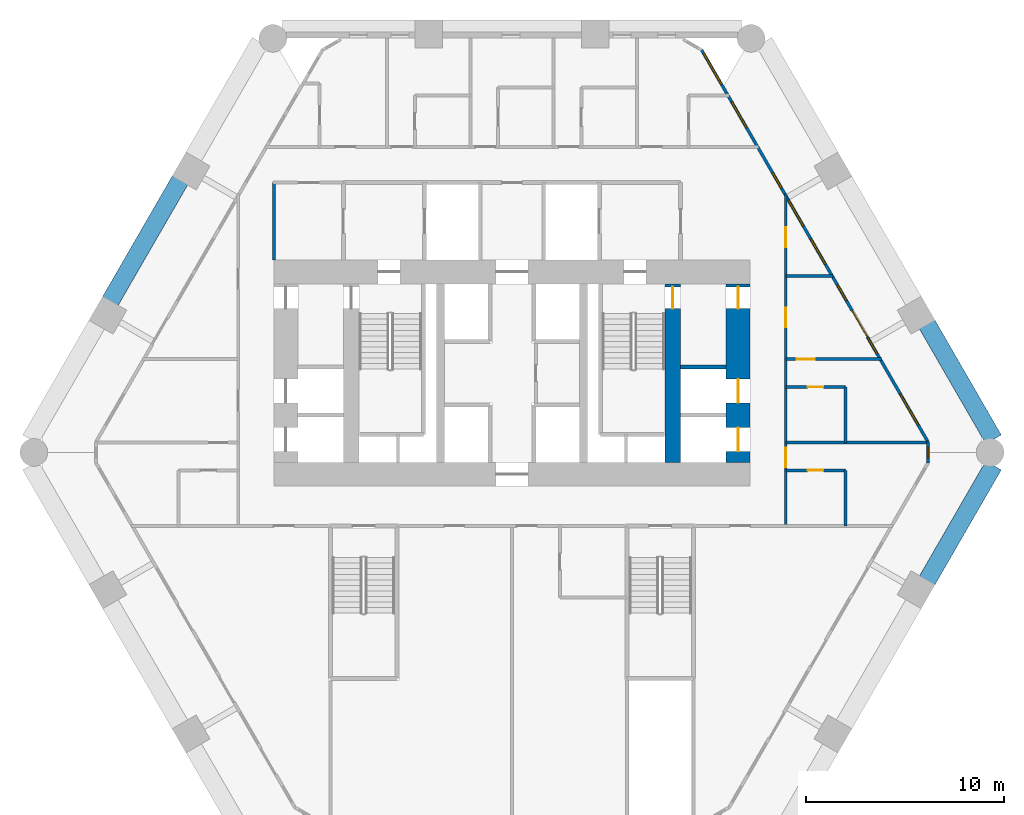
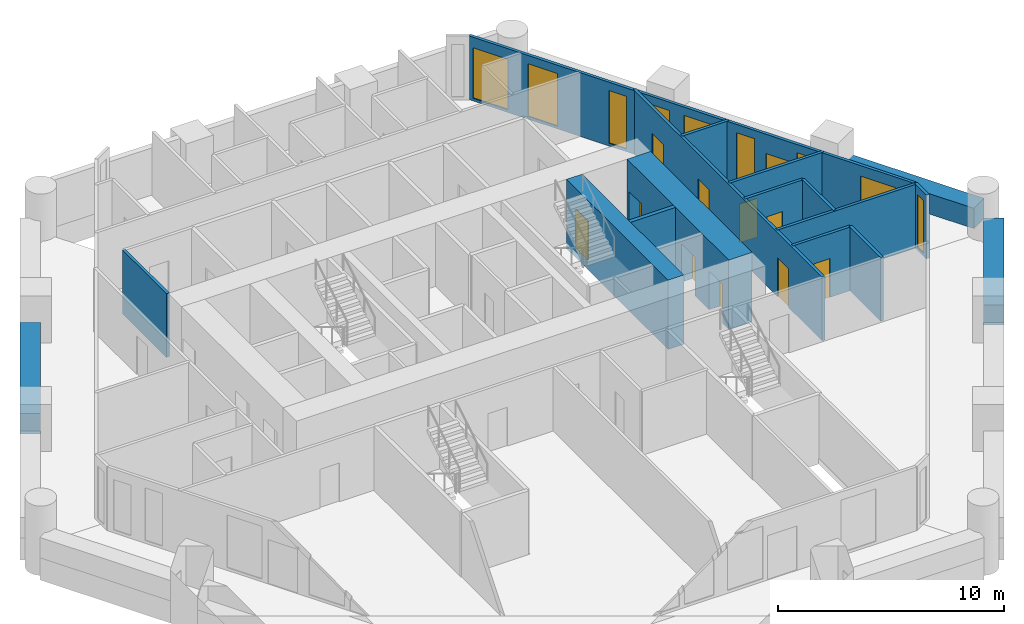
# One storey, part 5 of 8: 17 walls, 11 doors, 9 windows, 20 openings.
"""IFC4 building model written with IfcOpenShell, lengths in metres."""

from ifc_helpers import new_model, si_unit, direction, frame, frame_2d, origin, place, context, subcontext, project, spatial, rectangle, extrude, material, layer, layer_set, type_object, element, fill, save


model = new_model("IFC4")

# Units and contexts
model_context = context("Model", 3, precision=1e-05, world=origin(), true_north=direction((0.0, 1.0)))
body_context = subcontext(model_context, "Body", "Model", "MODEL_VIEW")
ifc_project = project(units=[si_unit("LENGTHUNIT", "METRE"), si_unit("AREAUNIT", "SQUARE_METRE"), si_unit("VOLUMEUNIT", "CUBIC_METRE"), si_unit("PLANEANGLEUNIT", "RADIAN"), si_unit("MASSUNIT", "GRAM", prefix="KILO")], contexts=[model_context])

# Site, building, storey
site_placement = place(None, origin())
site = spatial("IfcSite", under=ifc_project, at=site_placement, CompositionType="ELEMENT")
building_placement = place(site_placement, origin())
building = spatial("IfcBuilding", under=site, at=building_placement, Name="Ostrander Bayou Hotel Tower", CompositionType="ELEMENT")
storey_placement = place(building_placement, frame((0.0, 0.0, 28.0)))
storey = spatial("IfcBuildingStorey", under=building, at=storey_placement, Name="L06", CompositionType="ELEMENT", Elevation=28.0)

# Wall, openings, doors
ifc_material_1 = material(Name="Concrete f'c 70 MPa", Category="concrete")
ifc_layer_1 = layer(ifc_material_1, 1.199951171875)
ifc_layer_set_1 = layer_set([ifc_layer_1], Name="CW1 core wall 1200 mm f'c 70 MPa")
wall_type_1 = type_object("IfcWallType", Name="CW1 core wall 1200 mm f'c 70 MPa", PredefinedType="SHEAR", material=ifc_layer_set_1)
wall_1_placement = place(storey_placement, frame((11.39990234375, -0.5, -0.300048828125), z_axis=(0.0, 0.0, 1.0), x_axis=(0.0, 1.0, 0.0)))
wall_1 = element("IfcWall", 1, at=wall_1_placement, inside=storey, type_object=wall_type_1, Name="CW1 L06 RE", PredefinedType="SHEAR", context=body_context, shape_type="SweptSolid", body=[
    extrude(rectangle(XDim=9.0, YDim=1.199951171875, at=frame_2d((4.5, 0.0))), origin(), (0.0, 0.0, 1.0), 3.75),
])
opening_1_placement = place(wall_1_placement, frame((7.75, 0.0, 0.0)))
opening_1 = element("IfcOpeningElement", 2, at=opening_1_placement, cuts=wall_1, Name="Opening T06-018", PredefinedType="OPENING", context=body_context, shape_type="SweptSolid", body=[
    extrude(rectangle(XDim=1.10009765625, YDim=2.10009765625, at=frame_2d((0.550048828125, 1.050048828125))), frame((0.0, 0.60009765625, 0.0), z_axis=(0.0, -1.0, 0.0), x_axis=(1.0, 0.0, 0.0)), (0.0, 0.0, 1.0), 1.199951171875),
])
opening_2_placement = place(wall_1_placement, frame((0.550048828125, 0.0, 0.0)))
opening_2 = element("IfcOpeningElement", 3, at=opening_2_placement, cuts=wall_1, Name="Opening T06-019", PredefinedType="OPENING", context=body_context, shape_type="SweptSolid", body=[
    extrude(rectangle(XDim=1.199951171875, YDim=2.10009765625, at=frame_2d((0.60009765625, 1.050048828125))), frame((0.0, 0.60009765625, 0.0), z_axis=(0.0, -1.0, 0.0), x_axis=(1.0, 0.0, 0.0)), (0.0, 0.0, 1.0), 1.199951171875),
])
opening_3_placement = place(wall_1_placement, frame((3.0, 0.0, 0.0)))
opening_3 = element("IfcOpeningElement", 4, at=opening_3_placement, cuts=wall_1, Name="Opening T06-020", PredefinedType="OPENING", context=body_context, shape_type="SweptSolid", body=[
    extrude(rectangle(XDim=1.199951171875, YDim=2.10009765625, at=frame_2d((0.60009765625, 1.050048828125))), frame((0.0, 0.60009765625, 0.0), z_axis=(0.0, -1.0, 0.0), x_axis=(1.0, 0.0, 0.0)), (0.0, 0.0, 1.0), 1.199951171875),
])
ifc_material_2 = material(Name="Timber door leaf", Category="wood")
door_type_1 = type_object("IfcDoorType", Name="D5 stair door 1100 x 2100 mm, 90 minute", OperationType="SINGLE_SWING_LEFT", PredefinedType="DOOR", material=ifc_material_2)
door_1_placement = place(opening_1_placement, origin())
door_1 = element("IfcDoor", 5, at=door_1_placement, inside=storey, type_object=door_type_1, Name="dr:L06:018", OperationType="SINGLE_SWING_RIGHT", OverallHeight=2.10009765625, OverallWidth=1.10009765625, PredefinedType="DOOR", context=body_context, shape_type="SweptSolid", body=[
    extrude(rectangle(XDim=1.10009765625, YDim=2.10009765625, at=frame_2d((0.550048828125, 1.050048828125))), frame((0.0, 0.02490234375, 0.0), z_axis=(0.0, -1.0, 0.0), x_axis=(1.0, 0.0, 0.0)), (0.0, 0.0, 1.0), 0.050048828125),
])
fill(opening_1, door_1)
ifc_material_3 = material(Name="Stainless steel sliding door", Category="steel")
door_type_2 = type_object("IfcDoorType", Name="LD1 lift landing door 1200 x 2100 mm", OperationType="SINGLE_SWING_LEFT", PredefinedType="DOOR", material=ifc_material_3)
door_2_placement = place(opening_2_placement, origin())
door_2 = element("IfcDoor", 6, at=door_2_placement, inside=storey, type_object=door_type_2, Name="dr:L06:019", OperationType="SLIDING_TO_LEFT", OverallHeight=2.10009765625, OverallWidth=1.199951171875, PredefinedType="DOOR", context=body_context, shape_type="SweptSolid", body=[
    extrude(rectangle(XDim=1.199951171875, YDim=2.10009765625, at=frame_2d((0.60009765625, 1.050048828125))), frame((0.0, 0.02490234375, 0.0), z_axis=(0.0, -1.0, 0.0), x_axis=(1.0, 0.0, 0.0)), (0.0, 0.0, 1.0), 0.050048828125),
])
fill(opening_2, door_2)
door_3_placement = place(opening_3_placement, origin())
door_3 = element("IfcDoor", 7, at=door_3_placement, inside=storey, type_object=door_type_2, Name="dr:L06:020", OperationType="SLIDING_TO_LEFT", OverallHeight=2.10009765625, OverallWidth=1.199951171875, PredefinedType="DOOR", context=body_context, shape_type="SweptSolid", body=[
    extrude(rectangle(XDim=1.199951171875, YDim=2.10009765625, at=frame_2d((0.60009765625, 1.050048828125))), frame((0.0, 0.02490234375, 0.0), z_axis=(0.0, -1.0, 0.0), x_axis=(1.0, 0.0, 0.0)), (0.0, 0.0, 1.0), 0.050048828125),
])
fill(opening_3, door_3)

# Wall, opening, door
ifc_material_4 = material(Name="Concrete f'c 70 MPa", Category="concrete")
ifc_layer_2 = layer(ifc_material_4, 0.800048828125)
ifc_layer_set_2 = layer_set([ifc_layer_2], Name="CW2 core spine wall 800 mm f'c 70 MPa")
wall_type_2 = type_object("IfcWallType", Name="CW2 core spine wall 800 mm f'c 70 MPa", PredefinedType="SHEAR", material=ifc_layer_set_2)
wall_2_placement = place(storey_placement, frame((8.10009765625, -0.5, -0.300048828125), z_axis=(0.0, 0.0, 1.0), x_axis=(0.0, 1.0, 0.0)))
wall_2 = element("IfcWall", 8, at=wall_2_placement, inside=storey, type_object=wall_type_2, Name="CW2 L06 E", PredefinedType="SHEAR", context=body_context, shape_type="SweptSolid", body=[
    extrude(rectangle(XDim=9.0, YDim=0.800048828125, at=frame_2d((4.5, 0.0))), origin(), (0.0, 0.0, 1.0), 3.75),
])
opening_4_placement = place(wall_2_placement, frame((7.75, 0.0, 0.0)))
opening_4 = element("IfcOpeningElement", 9, at=opening_4_placement, cuts=wall_2, Name="Opening T06-006", PredefinedType="OPENING", context=body_context, shape_type="SweptSolid", body=[
    extrude(rectangle(XDim=1.10009765625, YDim=2.10009765625, at=frame_2d((0.550048828125, 1.050048828125))), frame((0.0, 0.39990234375, 0.0), z_axis=(0.0, -1.0, 0.0), x_axis=(1.0, 0.0, 0.0)), (0.0, 0.0, 1.0), 0.800048828125),
])
door_4_placement = place(opening_4_placement, origin())
door_4 = element("IfcDoor", 10, at=door_4_placement, inside=storey, type_object=door_type_1, Name="dr:L06:006", OperationType="SINGLE_SWING_LEFT", OverallHeight=2.10009765625, OverallWidth=1.10009765625, PredefinedType="DOOR", context=body_context, shape_type="SweptSolid", body=[
    extrude(rectangle(XDim=1.10009765625, YDim=2.10009765625, at=frame_2d((0.550048828125, 1.050048828125))), frame((0.0, 0.02490234375, 0.0), z_axis=(0.0, -1.0, 0.0), x_axis=(1.0, 0.0, 0.0)), (0.0, 0.0, 1.0), 0.050048828125),
])
fill(opening_4, door_4)

# Wall, openings, door, windows
ifc_material_5 = material(Name="Aluminium framed insulated wall", Category="aluminium")
ifc_layer_3 = layer(ifc_material_5, 0.14990234375)
ifc_layer_set_3 = layer_set([ifc_layer_3], Name="GW1 glass-line wall 150 mm")
wall_type_3 = type_object("IfcWallType", Name="GW1 glass-line wall 150 mm", PredefinedType="SOLIDWALL", material=ifc_layer_set_3)
wall_3_placement = place(storey_placement, frame((20.968017578125, 0.532470703125, 0.0), z_axis=(0.0, 0.0, 1.0), x_axis=(-0.500000010132, 0.866025397935, 0.0)))
wall_3 = element("IfcWall", 11, at=wall_3_placement, inside=storey, type_object=wall_type_3, Name="GW1 L06 NE 1", PredefinedType="SOLIDWALL", context=body_context, shape_type="SweptSolid", body=[
    extrude(rectangle(XDim=22.81689453125, YDim=0.14990234375, at=frame_2d((11.408447265625, 0.0))), origin(), (0.0, 0.0, 1.0), 3.449951171875),
])
opening_5_placement = place(wall_3_placement, frame((5.135986328125, 0.0, 0.14990234375)))
opening_5 = element("IfcOpeningElement", 12, at=opening_5_placement, cuts=wall_3, Name="Opening W15", PredefinedType="OPENING", context=body_context, shape_type="SweptSolid", body=[
    extrude(rectangle(XDim=0.89990234375, YDim=2.85009765625, at=frame_2d((0.449951171875, 1.425048828125))), frame((0.0, 0.074951171875, 0.0), z_axis=(0.0, -1.0, 0.0), x_axis=(1.0, 0.0, 0.0)), (0.0, 0.0, 1.0), 0.14990234375),
])
opening_6_placement = place(wall_3_placement, frame((6.122802734375, 0.0, 0.0)))
opening_6 = element("IfcOpeningElement", 13, at=opening_6_placement, cuts=wall_3, Name="Opening T06-808", PredefinedType="OPENING", context=body_context, shape_type="SweptSolid", body=[
    extrude(rectangle(XDim=1.5, YDim=2.39990234375, at=frame_2d((0.75, 1.199951171875))), frame((0.0, 0.074951171875, 0.0), z_axis=(0.0, -1.0, 0.0), x_axis=(1.0, 0.0, 0.0)), (0.0, 0.0, 1.0), 0.14990234375),
])
opening_7_placement = place(wall_3_placement, frame((8.222900390625, 0.0, 0.14990234375)))
opening_7 = element("IfcOpeningElement", 14, at=opening_7_placement, cuts=wall_3, Name="Opening W15", PredefinedType="OPENING", context=body_context, shape_type="SweptSolid", body=[
    extrude(rectangle(XDim=0.89990234375, YDim=2.85009765625, at=frame_2d((0.449951171875, 1.425048828125))), frame((0.0, 0.074951171875, 0.0), z_axis=(0.0, -1.0, 0.0), x_axis=(1.0, 0.0, 0.0)), (0.0, 0.0, 1.0), 0.14990234375),
])
opening_8_placement = place(wall_3_placement, frame((10.32275390625, 0.0, 0.14990234375)))
opening_8 = element("IfcOpeningElement", 15, at=opening_8_placement, cuts=wall_3, Name="Opening W11", PredefinedType="OPENING", context=body_context, shape_type="SweptSolid", body=[
    extrude(rectangle(XDim=1.5, YDim=2.85009765625, at=frame_2d((0.75, 1.425048828125))), frame((0.0, 0.074951171875, 0.0), z_axis=(0.0, -1.0, 0.0), x_axis=(1.0, 0.0, 0.0)), (0.0, 0.0, 1.0), 0.14990234375),
])
opening_9_placement = place(wall_3_placement, frame((14.763916015625, 0.0, 0.14990234375)))
opening_9 = element("IfcOpeningElement", 16, at=opening_9_placement, cuts=wall_3, Name="Opening W15", PredefinedType="OPENING", context=body_context, shape_type="SweptSolid", body=[
    extrude(rectangle(XDim=0.89990234375, YDim=2.85009765625, at=frame_2d((0.449951171875, 1.425048828125))), frame((0.0, 0.074951171875, 0.0), z_axis=(0.0, -1.0, 0.0), x_axis=(1.0, 0.0, 0.0)), (0.0, 0.0, 1.0), 0.14990234375),
])
opening_10_placement = place(wall_3_placement, frame((12.56396484375, 0.0, 0.14990234375)))
opening_10 = element("IfcOpeningElement", 17, at=opening_10_placement, cuts=wall_3, Name="Opening W11", PredefinedType="OPENING", context=body_context, shape_type="SweptSolid", body=[
    extrude(rectangle(XDim=1.5, YDim=2.85009765625, at=frame_2d((0.75, 1.425048828125))), frame((0.0, 0.074951171875, 0.0), z_axis=(0.0, -1.0, 0.0), x_axis=(1.0, 0.0, 0.0)), (0.0, 0.0, 1.0), 0.14990234375),
])
opening_11_placement = place(wall_3_placement, frame((18.293701171875, 0.0, 0.14990234375)))
opening_11 = element("IfcOpeningElement", 18, at=opening_11_placement, cuts=wall_3, Name="Opening W11", PredefinedType="OPENING", context=body_context, shape_type="SweptSolid", body=[
    extrude(rectangle(XDim=1.5, YDim=2.85009765625, at=frame_2d((0.75, 1.425048828125))), frame((0.0, 0.074951171875, 0.0), z_axis=(0.0, -1.0, 0.0), x_axis=(1.0, 0.0, 0.0)), (0.0, 0.0, 1.0), 0.14990234375),
])
opening_12_placement = place(wall_3_placement, frame((0.992919921875, 0.0, 0.14990234375)))
opening_12 = element("IfcOpeningElement", 19, at=opening_12_placement, cuts=wall_3, Name="Opening W1", PredefinedType="OPENING", context=body_context, shape_type="SweptSolid", body=[
    extrude(rectangle(XDim=1.800048828125, YDim=2.72998046875, at=frame_2d((0.89990234375, 1.364990234375))), frame((0.0, 0.074951171875, 0.0), z_axis=(0.0, -1.0, 0.0), x_axis=(1.0, 0.0, 0.0)), (0.0, 0.0, 1.0), 0.14990234375),
])
opening_13_placement = place(wall_3_placement, frame((20.81982421875, 0.0, 0.14990234375)))
opening_13 = element("IfcOpeningElement", 20, at=opening_13_placement, cuts=wall_3, Name="Opening W1", PredefinedType="OPENING", context=body_context, shape_type="SweptSolid", body=[
    extrude(rectangle(XDim=1.800048828125, YDim=2.72998046875, at=frame_2d((0.89990234375, 1.364990234375))), frame((0.0, 0.074951171875, 0.0), z_axis=(0.0, -1.0, 0.0), x_axis=(1.0, 0.0, 0.0)), (0.0, 0.0, 1.0), 0.14990234375),
])
ifc_material_6 = material(Name="Aluminium and clear glass", Category="aluminium")
door_type_3 = type_object("IfcDoorType", Name="SD1 sliding glass door 1500 mm, zone 1", OperationType="SLIDING_TO_LEFT", PredefinedType="DOOR", material=ifc_material_6)
door_5_placement = place(opening_6_placement, origin())
door_5 = element("IfcDoor", 21, at=door_5_placement, inside=storey, type_object=door_type_3, Name="SD1 L06 NE 2", OperationType="SLIDING_TO_RIGHT", OverallHeight=2.39990234375, OverallWidth=1.5, PredefinedType="DOOR", context=body_context, shape_type="SweptSolid", body=[
    extrude(rectangle(XDim=1.5, YDim=2.39990234375, at=frame_2d((0.75, 1.199951171875))), frame((0.0, 0.02490234375, 0.0), z_axis=(0.0, -1.0, 0.0), x_axis=(1.0, 0.0, 0.0)), (0.0, 0.0, 1.0), 0.050048828125),
])
fill(opening_6, door_5)
ifc_material_7 = material(Name="Aluminium and clear glass", Category="aluminium")
window_type_1 = type_object("IfcWindowType", Name="W1 fixed window 1800 mm, zone 1", PartitioningType="SINGLE_PANEL", PredefinedType="WINDOW", material=ifc_material_7)
window_1_placement = place(opening_12_placement, origin())
window_1 = element("IfcWindow", 22, at=window_1_placement, inside=storey, type_object=window_type_1, Name="W1 L06 NE E11", OverallHeight=2.72998046875, OverallWidth=1.800048828125, PartitioningType="SINGLE_PANEL", PredefinedType="WINDOW", context=body_context, shape_type="SweptSolid", body=[
    extrude(rectangle(XDim=1.800048828125, YDim=2.72998046875, at=frame_2d((0.89990234375, 1.364990234375))), frame((0.0, 0.030029296875, 0.0), z_axis=(0.0, -1.0, 0.0), x_axis=(1.0, 0.0, 0.0)), (0.0, 0.0, 1.0), 0.06005859375),
])
fill(opening_12, window_1)
window_2_placement = place(opening_13_placement, origin())
window_2 = element("IfcWindow", 23, at=window_2_placement, inside=storey, type_object=window_type_1, Name="W1 L06 NE E21", OverallHeight=2.72998046875, OverallWidth=1.800048828125, PartitioningType="SINGLE_PANEL", PredefinedType="WINDOW", context=body_context, shape_type="SweptSolid", body=[
    extrude(rectangle(XDim=1.800048828125, YDim=2.72998046875, at=frame_2d((0.89990234375, 1.364990234375))), frame((0.0, 0.030029296875, 0.0), z_axis=(0.0, -1.0, 0.0), x_axis=(1.0, 0.0, 0.0)), (0.0, 0.0, 1.0), 0.06005859375),
])
fill(opening_13, window_2)
ifc_material_8 = material(Name="Aluminium and clear glass", Category="aluminium")
window_type_2 = type_object("IfcWindowType", Name="W11 fixed window 1500 mm, bath bay, zone 1", PartitioningType="SINGLE_PANEL", PredefinedType="WINDOW", material=ifc_material_8)
window_3_placement = place(opening_8_placement, origin())
window_3 = element("IfcWindow", 24, at=window_3_placement, inside=storey, type_object=window_type_2, Name="W11 L06 NE 3", OverallHeight=2.85009765625, OverallWidth=1.5, PartitioningType="SINGLE_PANEL", PredefinedType="WINDOW", context=body_context, shape_type="SweptSolid", body=[
    extrude(rectangle(XDim=1.5, YDim=2.85009765625, at=frame_2d((0.75, 1.425048828125))), frame((0.0, 0.030029296875, 0.0), z_axis=(0.0, -1.0, 0.0), x_axis=(1.0, 0.0, 0.0)), (0.0, 0.0, 1.0), 0.06005859375),
])
fill(opening_8, window_3)
window_4_placement = place(opening_10_placement, origin())
window_4 = element("IfcWindow", 25, at=window_4_placement, inside=storey, type_object=window_type_2, Name="W11 L06 NE 4", OverallHeight=2.85009765625, OverallWidth=1.5, PartitioningType="SINGLE_PANEL", PredefinedType="WINDOW", context=body_context, shape_type="SweptSolid", body=[
    extrude(rectangle(XDim=1.5, YDim=2.85009765625, at=frame_2d((0.75, 1.425048828125))), frame((0.0, 0.030029296875, 0.0), z_axis=(0.0, -1.0, 0.0), x_axis=(1.0, 0.0, 0.0)), (0.0, 0.0, 1.0), 0.06005859375),
])
fill(opening_10, window_4)
window_5_placement = place(opening_11_placement, origin())
window_5 = element("IfcWindow", 26, at=window_5_placement, inside=storey, type_object=window_type_2, Name="W11 L06 NE 5", OverallHeight=2.85009765625, OverallWidth=1.5, PartitioningType="SINGLE_PANEL", PredefinedType="WINDOW", context=body_context, shape_type="SweptSolid", body=[
    extrude(rectangle(XDim=1.5, YDim=2.85009765625, at=frame_2d((0.75, 1.425048828125))), frame((0.0, 0.030029296875, 0.0), z_axis=(0.0, -1.0, 0.0), x_axis=(1.0, 0.0, 0.0)), (0.0, 0.0, 1.0), 0.06005859375),
])
fill(opening_11, window_5)
ifc_material_9 = material(Name="Aluminium and clear glass", Category="aluminium")
window_type_3 = type_object("IfcWindowType", Name="W15 window 900 mm, zone 1", PartitioningType="SINGLE_PANEL", PredefinedType="WINDOW", material=ifc_material_9)
window_6_placement = place(opening_5_placement, origin())
window_6 = element("IfcWindow", 27, at=window_6_placement, inside=storey, type_object=window_type_3, Name="W15 L06 NE 2", OverallHeight=2.85009765625, OverallWidth=0.89990234375, PartitioningType="SINGLE_PANEL", PredefinedType="WINDOW", context=body_context, shape_type="SweptSolid", body=[
    extrude(rectangle(XDim=0.89990234375, YDim=2.85009765625, at=frame_2d((0.449951171875, 1.425048828125))), frame((0.0, 0.030029296875, 0.0), z_axis=(0.0, -1.0, 0.0), x_axis=(1.0, 0.0, 0.0)), (0.0, 0.0, 1.0), 0.06005859375),
])
fill(opening_5, window_6)
window_7_placement = place(opening_7_placement, origin())
window_7 = element("IfcWindow", 28, at=window_7_placement, inside=storey, type_object=window_type_3, Name="W15 L06 NE 3", OverallHeight=2.85009765625, OverallWidth=0.89990234375, PartitioningType="SINGLE_PANEL", PredefinedType="WINDOW", context=body_context, shape_type="SweptSolid", body=[
    extrude(rectangle(XDim=0.89990234375, YDim=2.85009765625, at=frame_2d((0.449951171875, 1.425048828125))), frame((0.0, 0.030029296875, 0.0), z_axis=(0.0, -1.0, 0.0), x_axis=(1.0, 0.0, 0.0)), (0.0, 0.0, 1.0), 0.06005859375),
])
fill(opening_7, window_7)
window_8_placement = place(opening_9_placement, origin())
window_8 = element("IfcWindow", 29, at=window_8_placement, inside=storey, type_object=window_type_3, Name="W15 L06 NE 4", OverallHeight=2.85009765625, OverallWidth=0.89990234375, PartitioningType="SINGLE_PANEL", PredefinedType="WINDOW", context=body_context, shape_type="SweptSolid", body=[
    extrude(rectangle(XDim=0.89990234375, YDim=2.85009765625, at=frame_2d((0.449951171875, 1.425048828125))), frame((0.0, 0.030029296875, 0.0), z_axis=(0.0, -1.0, 0.0), x_axis=(1.0, 0.0, 0.0)), (0.0, 0.0, 1.0), 0.06005859375),
])
fill(opening_9, window_8)

# Wall, opening, window
wall_4_placement = place(storey_placement, frame((20.968017578125, -0.532470703125, 0.0), z_axis=(0.0, 0.0, 1.0), x_axis=(0.0, 1.0, 0.0)))
wall_4 = element("IfcWall", 30, at=wall_4_placement, inside=storey, type_object=wall_type_3, Name="GW1 L06 corner 5", PredefinedType="SOLIDWALL", context=body_context, shape_type="SweptSolid", body=[
    extrude(rectangle(XDim=1.06494140625, YDim=0.14990234375, at=frame_2d((0.532470703125, 0.0))), origin(), (0.0, 0.0, 1.0), 3.449951171875),
])
opening_14_placement = place(wall_4_placement, frame((0.257568359375, 0.0, 0.14990234375)))
opening_14 = element("IfcOpeningElement", 31, at=opening_14_placement, cuts=wall_4, Name="Opening W19", PredefinedType="OPENING", context=body_context, shape_type="SweptSolid", body=[
    extrude(rectangle(XDim=0.550048828125, YDim=2.85009765625, at=frame_2d((0.27490234375, 1.425048828125))), frame((0.0, 0.074951171875, 0.0), z_axis=(0.0, -1.0, 0.0), x_axis=(1.0, 0.0, 0.0)), (0.0, 0.0, 1.0), 0.14990234375),
])
ifc_material_10 = material(Name="Aluminium and clear glass", Category="aluminium")
window_type_4 = type_object("IfcWindowType", Name="W19 corner window 550 mm", PartitioningType="SINGLE_PANEL", PredefinedType="WINDOW", material=ifc_material_10)
window_9_placement = place(opening_14_placement, origin())
window_9 = element("IfcWindow", 32, at=window_9_placement, inside=storey, type_object=window_type_4, Name="W19 L06 corner 5", OverallHeight=2.85009765625, OverallWidth=0.550048828125, PartitioningType="SINGLE_PANEL", PredefinedType="WINDOW", context=body_context, shape_type="SweptSolid", body=[
    extrude(rectangle(XDim=0.550048828125, YDim=2.85009765625, at=frame_2d((0.27490234375, 1.425048828125))), frame((0.0, 0.030029296875, 0.0), z_axis=(0.0, -1.0, 0.0), x_axis=(1.0, 0.0, 0.0)), (0.0, 0.0, 1.0), 0.06005859375),
])
fill(opening_14, window_9)

# Walls
ifc_material_11 = material(Name="Concrete f'c 40 MPa", Category="concrete")
ifc_layer_4 = layer(ifc_material_11, 0.89990234375)
ifc_layer_set_4 = layer_set([ifc_layer_4], Name="PA1 stone-faced parapet 900 mm")
wall_type_4 = type_object("IfcWallType", Name="PA1 stone-faced parapet 900 mm", PredefinedType="PARAPET", material=ifc_layer_set_4)
wall_5_placement = place(storey_placement, frame((-16.726806640625, 13.72802734375, 0.0), z_axis=(0.0, 0.0, 1.0), x_axis=(-0.499997206141, -0.866027016814, 0.0)))
element("IfcWall", 33, at=wall_5_placement, inside=storey, type_object=wall_type_4, Name="PA1 L06 NW-2", PredefinedType="PARAPET", context=body_context, shape_type="SweptSolid", body=[
    extrude(rectangle(XDim=7.05078125, YDim=0.89990234375, at=frame_2d((3.525390625, 0.0))), origin(), (0.0, 0.0, 1.0), 1.10009765625),
])
wall_6_placement = place(storey_placement, frame((24.274169921875, 0.656005859375, 0.0), z_axis=(0.0, 0.0, 1.0), x_axis=(-0.500005133765, 0.866022439784, 0.0)))
element("IfcWall", 34, at=wall_6_placement, inside=storey, type_object=wall_type_4, Name="PA1 L06 NE-1", PredefinedType="PARAPET", context=body_context, shape_type="SweptSolid", body=[
    extrude(rectangle(XDim=6.70361328125, YDim=0.89990234375, at=frame_2d((3.351806640625, 0.0))), origin(), (0.0, 0.0, 1.0), 1.10009765625),
])
ifc_material_12 = material(Name="Limestone masonry", Category="masonry")
ifc_layer_5 = layer(ifc_material_12, 0.89990234375)
ifc_layer_set_5 = layer_set([ifc_layer_5], Name="PA2 limestone parapet 900 mm")
wall_type_5 = type_object("IfcWallType", Name="PA2 limestone parapet 900 mm", PredefinedType="PARAPET", material=ifc_layer_set_5)
wall_7_placement = place(storey_placement, frame((20.92236328125, -6.46142578125, 0.0), z_axis=(0.0, 0.0, 1.0), x_axis=(0.500005133765, 0.866022439784, 0.0)))
element("IfcWall", 35, at=wall_7_placement, inside=storey, type_object=wall_type_5, Name="PA2 L06 SE-3", PredefinedType="PARAPET", context=body_context, shape_type="SweptSolid", body=[
    extrude(rectangle(XDim=6.70361328125, YDim=0.89990234375, at=frame_2d((3.351806640625, 0.0))), origin(), (0.0, 0.0, 1.0), 1.10009765625),
])
ifc_material_13 = material(Name="Masonry block", Category="masonry")
ifc_layer_6 = layer(ifc_material_13, 0.199951171875)
ifc_layer_set_6 = layer_set([ifc_layer_6], Name="PT6 lift shaft wall 200 mm masonry, 2 hour")
wall_type_6 = type_object("IfcWallType", Name="PT6 lift shaft wall 200 mm masonry, 2 hour", PredefinedType="PARTITIONING", material=ifc_layer_set_6)
wall_8_placement = place(storey_placement, frame((8.5, 4.300048828125, 0.0), z_axis=(0.0, 0.0, 1.0), x_axis=(1.0, 0.0, 0.0)))
element("IfcWall", 36, at=wall_8_placement, inside=storey, type_object=wall_type_6, Name="cs:L06:036", PredefinedType="PARTITIONING", context=body_context, shape_type="SweptSolid", body=[
    extrude(rectangle(XDim=2.300048828125, YDim=0.199951171875, at=frame_2d((1.14990234375, 0.0))), origin(), (0.0, 0.0, 1.0), 3.449951171875),
])

# Wall, opening, door
ifc_material_14 = material(Name="Gypsum board partition", Category="finish")
ifc_layer_7 = layer(ifc_material_14, 0.14990234375)
ifc_layer_set_7 = layer_set([ifc_layer_7], Name="PT8 service band wall 150 mm, 1 hour")
wall_type_7 = type_object("IfcWallType", Name="PT8 service band wall 150 mm, 1 hour", PredefinedType="PARTITIONING", material=ifc_layer_set_7)
wall_9_placement = place(storey_placement, frame((13.800048828125, -0.89990234375, 0.0), z_axis=(0.0, 0.0, 1.0), x_axis=(1.0, 0.0, 0.0)))
wall_9 = element("IfcWall", 37, at=wall_9_placement, inside=storey, type_object=wall_type_7, Name="gw:L06:006", PredefinedType="PARTITIONING", context=body_context, shape_type="SweptSolid", body=[
    extrude(rectangle(XDim=3.0, YDim=0.14990234375, at=frame_2d((1.5, 0.0))), origin(), (0.0, 0.0, 1.0), 3.449951171875),
])
opening_15_placement = place(wall_9_placement, frame((1.10009765625, 0.0, 0.0)))
opening_15 = element("IfcOpeningElement", 38, at=opening_15_placement, cuts=wall_9, Name="Opening T06-410", PredefinedType="OPENING", context=body_context, shape_type="SweptSolid", body=[
    extrude(rectangle(XDim=0.800048828125, YDim=2.10009765625, at=frame_2d((0.39990234375, 1.050048828125))), frame((0.0, 0.074951171875, 0.0), z_axis=(0.0, -1.0, 0.0), x_axis=(1.0, 0.0, 0.0)), (0.0, 0.0, 1.0), 0.14990234375),
])
ifc_material_15 = material(Name="Timber door leaf", Category="wood")
door_type_4 = type_object("IfcDoorType", Name="D2 bathroom door 800 x 2100 mm", OperationType="SINGLE_SWING_LEFT", PredefinedType="DOOR", material=ifc_material_15)
door_6_placement = place(opening_15_placement, origin())
door_6 = element("IfcDoor", 39, at=door_6_placement, inside=storey, type_object=door_type_4, Name="dr:L06:410", OperationType="SINGLE_SWING_LEFT", OverallHeight=2.10009765625, OverallWidth=0.800048828125, PredefinedType="DOOR", context=body_context, shape_type="SweptSolid", body=[
    extrude(rectangle(XDim=0.800048828125, YDim=2.10009765625, at=frame_2d((0.39990234375, 1.050048828125))), frame((0.0, 0.02490234375, 0.0), z_axis=(0.0, -1.0, 0.0), x_axis=(1.0, 0.0, 0.0)), (0.0, 0.0, 1.0), 0.050048828125),
])
fill(opening_15, door_6)

# Wall
wall_10_placement = place(storey_placement, frame((13.800048828125, 0.5, 0.0), z_axis=(0.0, 0.0, 1.0), x_axis=(1.0, 0.0, 0.0)))
element("IfcWall", 40, at=wall_10_placement, inside=storey, type_object=wall_type_7, Name="gw:L06:008", PredefinedType="PARTITIONING", context=body_context, shape_type="SweptSolid", body=[
    extrude(rectangle(XDim=7.18603515625, YDim=0.14990234375, at=frame_2d((3.593017578125, 0.0))), origin(), (0.0, 0.0, 1.0), 3.449951171875),
])

# Wall, opening, door
wall_11_placement = place(storey_placement, frame((13.800048828125, 3.300048828125, 0.0), z_axis=(0.0, 0.0, 1.0), x_axis=(1.0, 0.0, 0.0)))
wall_11 = element("IfcWall", 41, at=wall_11_placement, inside=storey, type_object=wall_type_7, Name="gw:L06:009", PredefinedType="PARTITIONING", context=body_context, shape_type="SweptSolid", body=[
    extrude(rectangle(XDim=3.0, YDim=0.14990234375, at=frame_2d((1.5, 0.0))), origin(), (0.0, 0.0, 1.0), 3.449951171875),
])
opening_16_placement = place(wall_11_placement, frame((1.10009765625, 0.0, 0.0)))
opening_16 = element("IfcOpeningElement", 42, at=opening_16_placement, cuts=wall_11, Name="Opening T06-413", PredefinedType="OPENING", context=body_context, shape_type="SweptSolid", body=[
    extrude(rectangle(XDim=0.800048828125, YDim=2.10009765625, at=frame_2d((0.39990234375, 1.050048828125))), frame((0.0, 0.074951171875, 0.0), z_axis=(0.0, -1.0, 0.0), x_axis=(1.0, 0.0, 0.0)), (0.0, 0.0, 1.0), 0.14990234375),
])
door_7_placement = place(opening_16_placement, origin())
door_7 = element("IfcDoor", 43, at=door_7_placement, inside=storey, type_object=door_type_4, Name="dr:L06:413", OperationType="SINGLE_SWING_LEFT", OverallHeight=2.10009765625, OverallWidth=0.800048828125, PredefinedType="DOOR", context=body_context, shape_type="SweptSolid", body=[
    extrude(rectangle(XDim=0.800048828125, YDim=2.10009765625, at=frame_2d((0.39990234375, 1.050048828125))), frame((0.0, 0.02490234375, 0.0), z_axis=(0.0, -1.0, 0.0), x_axis=(1.0, 0.0, 0.0)), (0.0, 0.0, 1.0), 0.050048828125),
])
fill(opening_16, door_7)

wall_12_placement = place(storey_placement, frame((13.800048828125, 4.699951171875, 0.0), z_axis=(0.0, 0.0, 1.0), x_axis=(1.0, 0.0, 0.0)))
wall_12 = element("IfcWall", 44, at=wall_12_placement, inside=storey, type_object=wall_type_7, Name="gw:L06:011", PredefinedType="PARTITIONING", context=body_context, shape_type="SweptSolid", body=[
    extrude(rectangle(XDim=4.81396484375, YDim=0.14990234375, at=frame_2d((2.406982421875, 0.0))), origin(), (0.0, 0.0, 1.0), 3.449951171875),
])
opening_17_placement = place(wall_12_placement, frame((0.550048828125, 0.0, 0.0)))
opening_17 = element("IfcOpeningElement", 45, at=opening_17_placement, cuts=wall_12, Name="Opening T06-412", PredefinedType="OPENING", context=body_context, shape_type="SweptSolid", body=[
    extrude(rectangle(XDim=0.89990234375, YDim=2.10009765625, at=frame_2d((0.449951171875, 1.050048828125))), frame((0.0, 0.074951171875, 0.0), z_axis=(0.0, -1.0, 0.0), x_axis=(1.0, 0.0, 0.0)), (0.0, 0.0, 1.0), 0.14990234375),
])
ifc_material_16 = material(Name="Timber door leaf", Category="wood")
door_type_5 = type_object("IfcDoorType", Name="D8 room door 900 x 2100 mm", OperationType="SINGLE_SWING_LEFT", PredefinedType="DOOR", material=ifc_material_16)
door_8_placement = place(opening_17_placement, origin())
door_8 = element("IfcDoor", 46, at=door_8_placement, inside=storey, type_object=door_type_5, Name="dr:L06:412", OperationType="SINGLE_SWING_LEFT", OverallHeight=2.10009765625, OverallWidth=0.89990234375, PredefinedType="DOOR", context=body_context, shape_type="SweptSolid", body=[
    extrude(rectangle(XDim=0.89990234375, YDim=2.10009765625, at=frame_2d((0.449951171875, 1.050048828125))), frame((0.0, 0.02490234375, 0.0), z_axis=(0.0, -1.0, 0.0), x_axis=(1.0, 0.0, 0.0)), (0.0, 0.0, 1.0), 0.050048828125),
])
fill(opening_17, door_8)

# Walls
wall_13_placement = place(storey_placement, frame((13.800048828125, 8.89990234375, 0.0), z_axis=(0.0, 0.0, 1.0), x_axis=(1.0, 0.0, 0.0)))
element("IfcWall", 47, at=wall_13_placement, inside=storey, type_object=wall_type_7, Name="gw:L06:012", PredefinedType="PARTITIONING", context=body_context, shape_type="SweptSolid", body=[
    extrude(rectangle(XDim=2.388916015625, YDim=0.14990234375, at=frame_2d((1.1943359375, 0.0))), origin(), (0.0, 0.0, 1.0), 3.449951171875),
])
for number, where, z_axis, x_axis, name in (
    (48, (16.800048828125, -3.699951171875, 0.0), (0.0, 0.0, 1.0), (0.0, 1.0, 0.0), "gw:L06:020"),
    (49, (16.800048828125, 0.5, 0.0), (0.0, 0.0, 1.0), (0.0, 1.0, 0.0), "gw:L06:021"),
):
    element("IfcWall", number, at=place(storey_placement, frame(where, z_axis=z_axis, x_axis=x_axis)), inside=storey, type_object=wall_type_7, Name=name, PredefinedType="PARTITIONING", context=body_context, shape_type="SweptSolid", body=[
        extrude(rectangle(XDim=2.800048828125, YDim=0.14990234375, at=frame_2d((1.39990234375, 0.0))), origin(), (0.0, 0.0, 1.0), 3.449951171875),
    ])

# Wall, openings, doors
wall_14_placement = place(storey_placement, frame((13.800048828125, -3.699951171875, 0.0), z_axis=(0.0, 0.0, 1.0), x_axis=(0.0, 1.0, 0.0)))
wall_14 = element("IfcWall", 50, at=wall_14_placement, inside=storey, type_object=wall_type_7, Name="gw:L06:022", PredefinedType="PARTITIONING", context=body_context, shape_type="SweptSolid", body=[
    extrude(rectangle(XDim=16.738037109375, YDim=0.14990234375, at=frame_2d((8.369140625, 0.0))), origin(), (0.0, 0.0, 1.0), 3.449951171875),
])
opening_18_placement = place(wall_14_placement, frame((2.949951171875, 0.0, 0.0)))
opening_18 = element("IfcOpeningElement", 51, at=opening_18_placement, cuts=wall_14, Name="Opening T06-409", PredefinedType="OPENING", context=body_context, shape_type="SweptSolid", body=[
    extrude(rectangle(XDim=1.0, YDim=2.10009765625, at=frame_2d((0.5, 1.050048828125))), frame((0.0, 0.074951171875, 0.0), z_axis=(0.0, -1.0, 0.0), x_axis=(1.0, 0.0, 0.0)), (0.0, 0.0, 1.0), 0.14990234375),
])
opening_19_placement = place(wall_14_placement, frame((10.0, 0.0, 0.0)))
opening_19 = element("IfcOpeningElement", 52, at=opening_19_placement, cuts=wall_14, Name="Opening T06-411", PredefinedType="OPENING", context=body_context, shape_type="SweptSolid", body=[
    extrude(rectangle(XDim=1.0, YDim=2.10009765625, at=frame_2d((0.5, 1.050048828125))), frame((0.0, 0.074951171875, 0.0), z_axis=(0.0, -1.0, 0.0), x_axis=(1.0, 0.0, 0.0)), (0.0, 0.0, 1.0), 0.14990234375),
])
opening_20_placement = place(wall_14_placement, frame((14.047119140625, 0.0, 0.0)))
opening_20 = element("IfcOpeningElement", 53, at=opening_20_placement, cuts=wall_14, Name="Opening T06-414", PredefinedType="OPENING", context=body_context, shape_type="SweptSolid", body=[
    extrude(rectangle(XDim=1.0, YDim=2.10009765625, at=frame_2d((0.5, 1.050048828125))), frame((0.0, 0.074951171875, 0.0), z_axis=(0.0, -1.0, 0.0), x_axis=(1.0, 0.0, 0.0)), (0.0, 0.0, 1.0), 0.14990234375),
])
ifc_material_17 = material(Name="Timber door leaf", Category="wood")
door_type_6 = type_object("IfcDoorType", Name="D1 guest room door 1000 x 2100 mm, 30 minute", OperationType="SINGLE_SWING_LEFT", PredefinedType="DOOR", material=ifc_material_17)
door_9_placement = place(opening_18_placement, origin())
door_9 = element("IfcDoor", 54, at=door_9_placement, inside=storey, type_object=door_type_6, Name="dr:L06:409", OperationType="SINGLE_SWING_RIGHT", OverallHeight=2.10009765625, OverallWidth=1.0, PredefinedType="DOOR", context=body_context, shape_type="SweptSolid", body=[
    extrude(rectangle(XDim=1.0, YDim=2.10009765625, at=frame_2d((0.5, 1.050048828125))), frame((0.0, 0.02490234375, 0.0), z_axis=(0.0, -1.0, 0.0), x_axis=(1.0, 0.0, 0.0)), (0.0, 0.0, 1.0), 0.050048828125),
])
fill(opening_18, door_9)
door_10_placement = place(opening_19_placement, origin())
door_10 = element("IfcDoor", 55, at=door_10_placement, inside=storey, type_object=door_type_6, Name="dr:L06:411", OperationType="SINGLE_SWING_RIGHT", OverallHeight=2.10009765625, OverallWidth=1.0, PredefinedType="DOOR", context=body_context, shape_type="SweptSolid", body=[
    extrude(rectangle(XDim=1.0, YDim=2.10009765625, at=frame_2d((0.5, 1.050048828125))), frame((0.0, 0.02490234375, 0.0), z_axis=(0.0, -1.0, 0.0), x_axis=(1.0, 0.0, 0.0)), (0.0, 0.0, 1.0), 0.050048828125),
])
fill(opening_19, door_10)
ifc_material_18 = material(Name="Timber door leaf", Category="wood")
door_type_7 = type_object("IfcDoorType", Name="D9 service door 1000 x 2100 mm, 30 minute", OperationType="SINGLE_SWING_LEFT", PredefinedType="DOOR", material=ifc_material_18)
door_11_placement = place(opening_20_placement, origin())
door_11 = element("IfcDoor", 56, at=door_11_placement, inside=storey, type_object=door_type_7, Name="dr:L06:414", OperationType="SINGLE_SWING_LEFT", OverallHeight=2.10009765625, OverallWidth=1.0, PredefinedType="DOOR", context=body_context, shape_type="SweptSolid", body=[
    extrude(rectangle(XDim=1.0, YDim=2.10009765625, at=frame_2d((0.5, 1.050048828125))), frame((0.0, 0.02490234375, 0.0), z_axis=(0.0, -1.0, 0.0), x_axis=(1.0, 0.0, 0.0)), (0.0, 0.0, 1.0), 0.050048828125),
])
fill(opening_20, door_11)

# Wall
wall_15_placement = place(storey_placement, frame((-12.0, 9.7099609375, 0.0), z_axis=(0.0, 0.0, 1.0), x_axis=(0.0, 1.0, 0.0)))
element("IfcWall", 57, at=wall_15_placement, inside=storey, type_object=wall_type_7, Name="gw:L06:037", PredefinedType="PARTITIONING", context=body_context, shape_type="SweptSolid", body=[
    extrude(rectangle(XDim=3.89013671875, YDim=0.14990234375, at=frame_2d((1.945068359375, 0.0))), origin(), (0.0, 0.0, 1.0), 3.449951171875),
])

save(model, "model.ifc")
